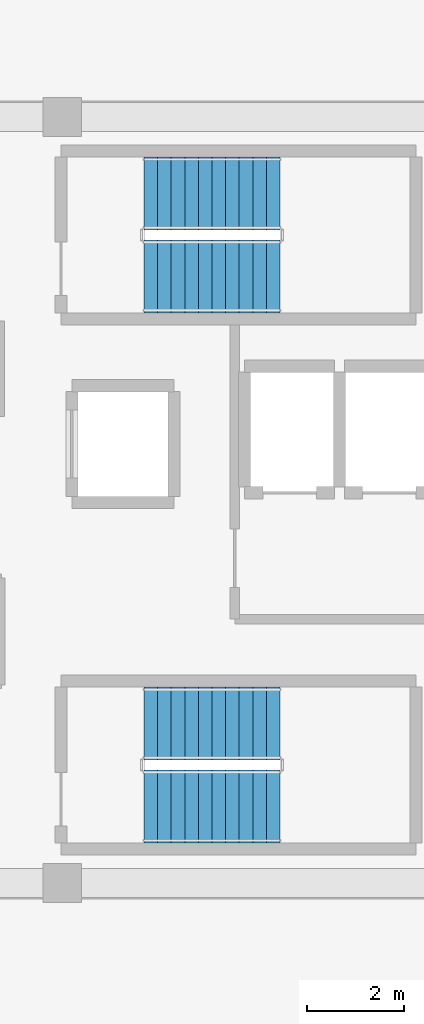
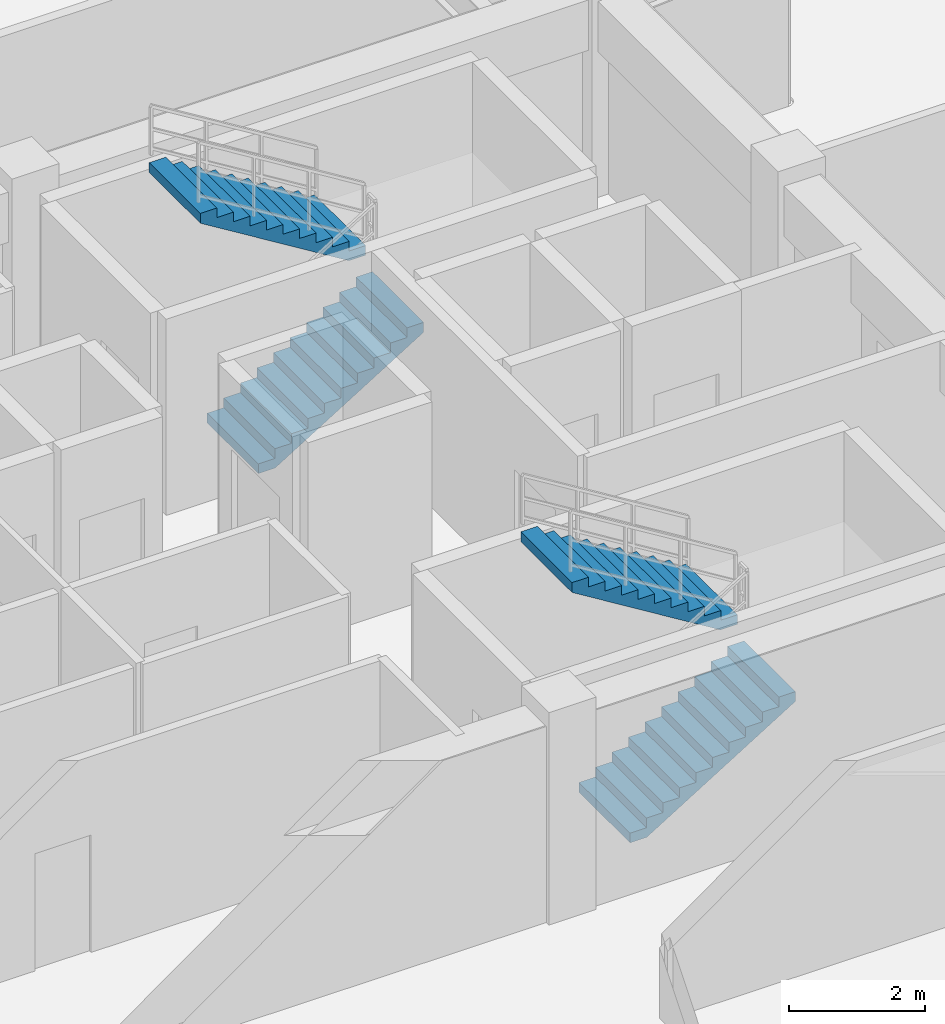
# One storey, part 6 of 9: 4 stair flights, 2 elements without a shape of their own.
"""IFC4 building model written with IfcOpenShell, lengths in metres."""

from ifc_helpers import new_model, si_unit, direction, frame, origin, place, context, subcontext, project, spatial, polyline, outline, extrude, material, type_object, element, aggregate, save


model = new_model("IFC4")

# Units and contexts
model_context = context("Model", 3, precision=1e-05, world=origin(), true_north=direction((0.0, 1.0)))
body_context = subcontext(model_context, "Body", "Model", "MODEL_VIEW")
ifc_project = project(units=[si_unit("LENGTHUNIT", "METRE"), si_unit("AREAUNIT", "SQUARE_METRE"), si_unit("VOLUMEUNIT", "CUBIC_METRE"), si_unit("PLANEANGLEUNIT", "RADIAN"), si_unit("MASSUNIT", "GRAM", prefix="KILO")], contexts=[model_context])

# Site, building, storey
site_placement = place(None, origin())
site = spatial("IfcSite", under=ifc_project, at=site_placement, CompositionType="ELEMENT")
building_placement = place(site_placement, origin())
building = spatial("IfcBuilding", under=site, at=building_placement, Name="Zulverin Broadcast Headquarters", CompositionType="ELEMENT")
storey_placement = place(building_placement, frame((0.0, 0.0, 247.800048828125)))
storey = spatial("IfcBuildingStorey", under=building, at=storey_placement, Name="L63", CompositionType="ELEMENT", Elevation=247.800048828125)

# Stair, stair flights
ifc_material = material(Name="Concrete C40/50", Category="concrete")
stair_type = type_object("IfcStairType", Name="ST-CORE-1500", PredefinedType="HALF_TURN_STAIR", material=ifc_material)
stair_1_placement = place(storey_placement, origin())
stair_1 = element("IfcStair", 1, at=stair_1_placement, inside=storey, type_object=stair_type, Name="L63 Core Exit Stair ST-1", PredefinedType="HALF_TURN_STAIR")
stair_flight_type = type_object("IfcStairFlightType", Name="SF-CORE-1500", PredefinedType="STRAIGHT", material=ifc_material)
stair_flight_1_placement = place(storey_placement, frame((40.1298828125, 29.800048828125, 0.0), z_axis=(0.0, 0.0, 1.0), x_axis=(1.0, 0.0, 0.0)))
stair_flight_1 = element("IfcStairFlight", 2, at=stair_flight_1_placement, type_object=stair_flight_type, Name="ST-1 flight 1", NumberOfRisers=11, NumberOfTreads=10, PredefinedType="STRAIGHT", RiserHeight=0.172727273, TreadLength=0.28, context=body_context, shape_type="SweptSolid", body=[
    extrude(outline(polyline([(0.0, 0.0), (0.0, 0.172607421875), (0.280029296875, 0.172607421875), (0.280029296875, 0.345458984375), (0.56005859375, 0.345458984375), (0.56005859375, 0.51806640625), (0.840087890625, 0.51806640625), (0.840087890625, 0.69091796875), (1.1201171875, 0.69091796875), (1.1201171875, 0.863525390625), (1.39990234375, 0.863525390625), (1.39990234375, 1.036376953125), (1.679931640625, 1.036376953125), (1.679931640625, 1.208984375), (1.9599609375, 1.208984375), (1.9599609375, 1.3818359375), (2.239990234375, 1.3818359375), (2.239990234375, 1.554443359375), (2.52001953125, 1.554443359375), (2.52001953125, 1.727294921875), (2.800048828125, 1.727294921875), (2.800048828125, 1.89990234375), (2.800048828125, 1.551025390625), (0.285400390625, 0.0), (0.0, 0.0)])), frame((0.0, 0.75, 0.0), z_axis=(0.0, -1.0, 0.0), x_axis=(1.0, 0.0, 0.0)), (0.0, 0.0, 1.0), 1.5),
])
stair_flight_2_placement = place(storey_placement, frame((42.929931640625, 31.5, 1.89990234375), z_axis=(0.0, 0.0, 1.0), x_axis=(-1.0, 0.0, 0.0)))
stair_flight_2 = element("IfcStairFlight", 3, at=stair_flight_2_placement, type_object=stair_flight_type, Name="ST-1 flight 2", NumberOfRisers=11, NumberOfTreads=10, PredefinedType="STRAIGHT", RiserHeight=0.172727273, TreadLength=0.28, context=body_context, shape_type="SweptSolid", body=[
    extrude(outline(polyline([(0.0, 0.0), (0.0, 0.172607421875), (0.280029296875, 0.172607421875), (0.280029296875, 0.345458984375), (0.56005859375, 0.345458984375), (0.56005859375, 0.51806640625), (0.840087890625, 0.51806640625), (0.840087890625, 0.69091796875), (1.1201171875, 0.69091796875), (1.1201171875, 0.863525390625), (1.39990234375, 0.863525390625), (1.39990234375, 1.036376953125), (1.679931640625, 1.036376953125), (1.679931640625, 1.208984375), (1.9599609375, 1.208984375), (1.9599609375, 1.3818359375), (2.239990234375, 1.3818359375), (2.239990234375, 1.554443359375), (2.52001953125, 1.554443359375), (2.52001953125, 1.727294921875), (2.800048828125, 1.727294921875), (2.800048828125, 1.89990234375), (2.800048828125, 1.551025390625), (0.285400390625, 0.0), (0.0, 0.0)])), frame((0.0, 0.75, 0.0), z_axis=(0.0, -1.0, 0.0), x_axis=(1.0, 0.0, 0.0)), (0.0, 0.0, 1.0), 1.5),
])
aggregate(stair_1, [stair_flight_1, stair_flight_2])

stair_2_placement = place(storey_placement, origin())
stair_2 = element("IfcStair", 4, at=stair_2_placement, inside=storey, type_object=stair_type, Name="L63 Core Exit Stair ST-2", PredefinedType="HALF_TURN_STAIR")
stair_flight_3_placement = place(storey_placement, frame((40.1298828125, 18.89990234375, 0.0), z_axis=(0.0, 0.0, 1.0), x_axis=(1.0, 0.0, 0.0)))
stair_flight_3 = element("IfcStairFlight", 5, at=stair_flight_3_placement, type_object=stair_flight_type, Name="ST-2 flight 1", NumberOfRisers=11, NumberOfTreads=10, PredefinedType="STRAIGHT", RiserHeight=0.172727273, TreadLength=0.28, context=body_context, shape_type="SweptSolid", body=[
    extrude(outline(polyline([(0.0, 0.0), (0.0, 0.172607421875), (0.280029296875, 0.172607421875), (0.280029296875, 0.345458984375), (0.56005859375, 0.345458984375), (0.56005859375, 0.51806640625), (0.840087890625, 0.51806640625), (0.840087890625, 0.69091796875), (1.1201171875, 0.69091796875), (1.1201171875, 0.863525390625), (1.39990234375, 0.863525390625), (1.39990234375, 1.036376953125), (1.679931640625, 1.036376953125), (1.679931640625, 1.208984375), (1.9599609375, 1.208984375), (1.9599609375, 1.3818359375), (2.239990234375, 1.3818359375), (2.239990234375, 1.554443359375), (2.52001953125, 1.554443359375), (2.52001953125, 1.727294921875), (2.800048828125, 1.727294921875), (2.800048828125, 1.89990234375), (2.800048828125, 1.551025390625), (0.285400390625, 0.0), (0.0, 0.0)])), frame((0.0, 0.75, 0.0), z_axis=(0.0, -1.0, 0.0), x_axis=(1.0, 0.0, 0.0)), (0.0, 0.0, 1.0), 1.5),
])
stair_flight_4_placement = place(storey_placement, frame((42.929931640625, 20.60009765625, 1.89990234375), z_axis=(0.0, 0.0, 1.0), x_axis=(-1.0, 0.0, 0.0)))
stair_flight_4 = element("IfcStairFlight", 6, at=stair_flight_4_placement, type_object=stair_flight_type, Name="ST-2 flight 2", NumberOfRisers=11, NumberOfTreads=10, PredefinedType="STRAIGHT", RiserHeight=0.172727273, TreadLength=0.28, context=body_context, shape_type="SweptSolid", body=[
    extrude(outline(polyline([(0.0, 0.0), (0.0, 0.172607421875), (0.280029296875, 0.172607421875), (0.280029296875, 0.345458984375), (0.56005859375, 0.345458984375), (0.56005859375, 0.51806640625), (0.840087890625, 0.51806640625), (0.840087890625, 0.69091796875), (1.1201171875, 0.69091796875), (1.1201171875, 0.863525390625), (1.39990234375, 0.863525390625), (1.39990234375, 1.036376953125), (1.679931640625, 1.036376953125), (1.679931640625, 1.208984375), (1.9599609375, 1.208984375), (1.9599609375, 1.3818359375), (2.239990234375, 1.3818359375), (2.239990234375, 1.554443359375), (2.52001953125, 1.554443359375), (2.52001953125, 1.727294921875), (2.800048828125, 1.727294921875), (2.800048828125, 1.89990234375), (2.800048828125, 1.551025390625), (0.285400390625, 0.0), (0.0, 0.0)])), frame((0.0, 0.75, 0.0), z_axis=(0.0, -1.0, 0.0), x_axis=(1.0, 0.0, 0.0)), (0.0, 0.0, 1.0), 1.5),
])
aggregate(stair_2, [stair_flight_3, stair_flight_4])

save(model, "model.ifc")
